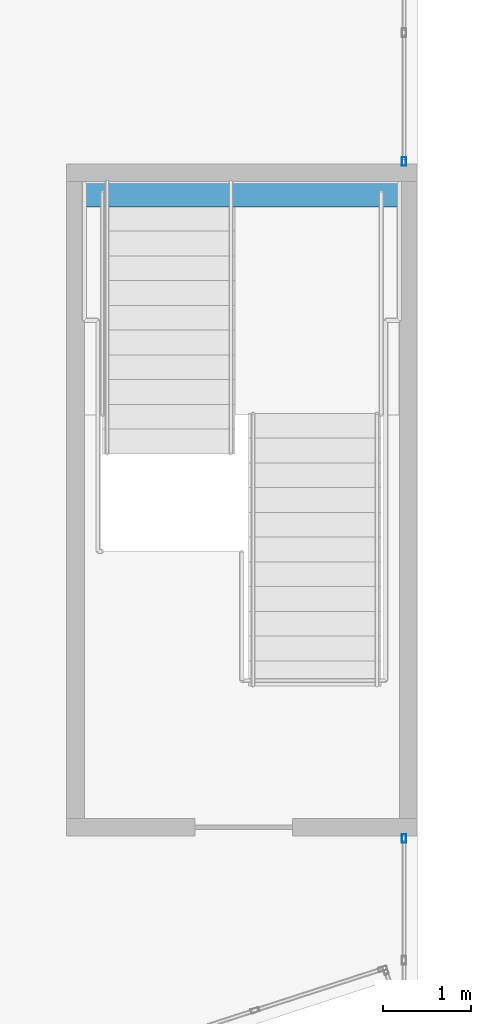
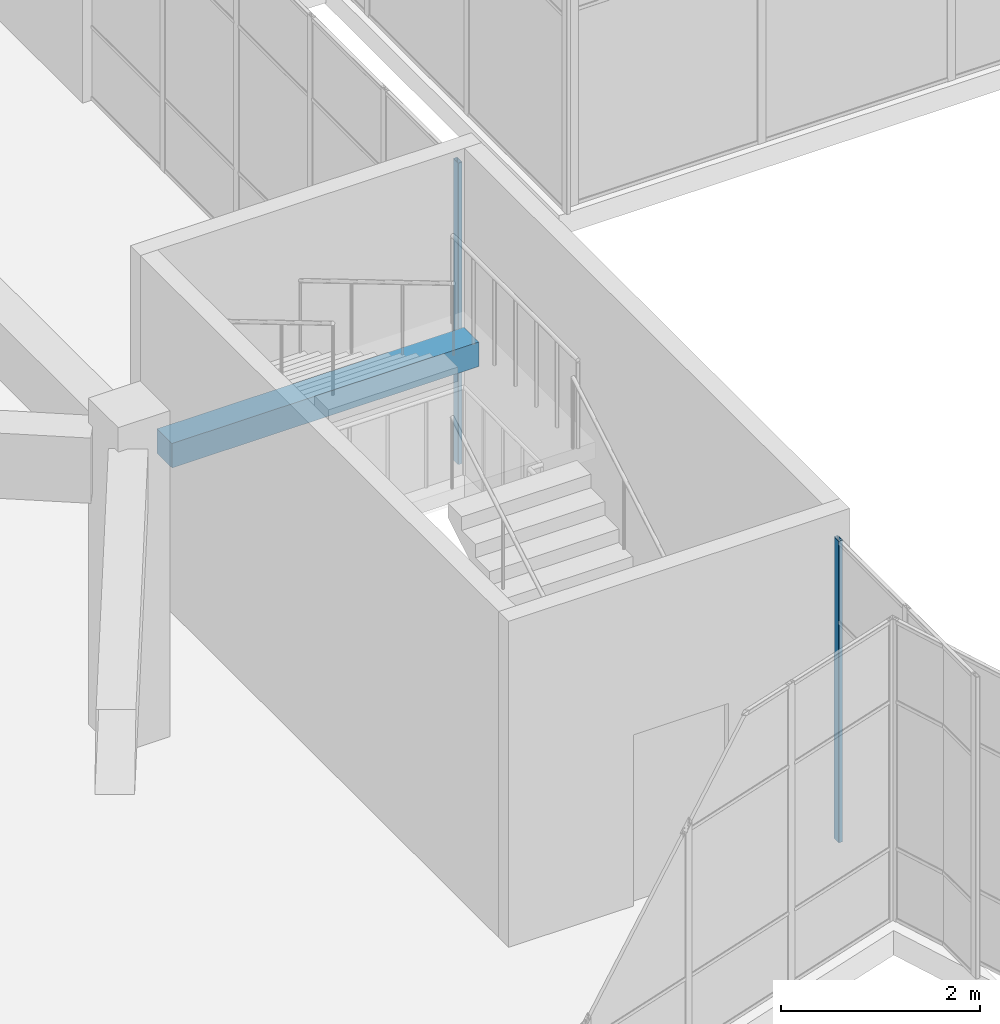
# One storey, part 12 of 66: 2 members, 1 beam, 2 elements without a shape of their own.
"""IFC4 building model written with IfcOpenShell, lengths in metres."""

import ifcopenshell
import ifcopenshell.guid

model = None  # the IFC model being written
_history = None  # IfcOwnerHistory: only IFC2X3 demands one
_inside = {}  # id of a spatial element -> (the spatial element, [elements in it])
_under = {}  # id of a project, library or spatial element -> (it, [spatial elements below it])
_declared = {}  # id of a project -> (the project, [libraries it declares])
_typed = {}  # id of a type object -> (the type object, [elements of that type])
_made_of = {}  # id of a material, layer set ... -> (it, [elements and type objects made of it])


def new_model(schema):
    """Start an empty IFC model of exactly this schema.

    Asked for "IFC4X3", IfcOpenShell would pick the latest addendum, in which some entities
    have other attributes; the version numbers below select the first issue.
    IFC2X3 requires an IfcOwnerHistory on every rooted entity: one is made here for all.
    """
    global model, _history
    if schema == "IFC4X3":
        model = ifcopenshell.file(schema_version=(4, 3, 0, 0))
    else:
        model = ifcopenshell.file(schema=schema)
    _inside.clear()
    _under.clear()
    _declared.clear()
    _typed.clear()
    _made_of.clear()
    _history = None
    if model.schema == "IFC2X3":
        org = make("IfcOrganization", Name="unknown")
        user = make(
            "IfcPersonAndOrganization",
            ThePerson=make("IfcPerson", FamilyName="unknown"),
            TheOrganization=org,
        )
        app = make(
            "IfcApplication",
            ApplicationDeveloper=org,
            Version="unknown",
            ApplicationFullName="unknown",
            ApplicationIdentifier="unknown",
        )
        _history = make(
            "IfcOwnerHistory",
            OwningUser=user,
            OwningApplication=app,
            ChangeAction="ADDED",
            CreationDate=0,
        )
    return model


def make(cls, **values):
    """One entity of the class cls with the attributes given. An attribute that is None is left unset."""
    return model.create_entity(
        cls, **{name: value for name, value in values.items() if value is not None}
    )


def rooted(cls, **values):
    """An entity with a GlobalId (a new one), such as an element, a storey or a relation."""
    return make(cls, GlobalId=ifcopenshell.guid.new(), OwnerHistory=_history, **values)


def si_unit(unit_type, name, prefix=None):
    """IfcSIUnit, for example si_unit("LENGTHUNIT", "METRE", prefix="MILLI")."""
    return make("IfcSIUnit", UnitType=unit_type, Prefix=prefix, Name=name)


def assignment(units):
    """IfcUnitAssignment: the units of a project."""
    return None if units is None else make("IfcUnitAssignment", Units=units)


def point(xyz):
    """IfcCartesianPoint."""
    return None if xyz is None else make("IfcCartesianPoint", Coordinates=xyz)


def direction(xyz):
    """IfcDirection."""
    return None if xyz is None else make("IfcDirection", DirectionRatios=xyz)


def frame(location, z_axis=None, x_axis=None):
    """IfcAxis2Placement3D, a coordinate frame: its origin and axes. An axis left out is left unset."""
    return make(
        "IfcAxis2Placement3D",
        Location=point(location),
        Axis=direction(z_axis),
        RefDirection=direction(x_axis),
    )


def frame_2d(location, x_axis=None):
    """IfcAxis2Placement2D, a coordinate frame in the plane: its origin and x axis."""
    return make(
        "IfcAxis2Placement2D", Location=point(location), RefDirection=direction(x_axis)
    )


def origin():
    """The frame at (0, 0, 0) with its axes left unset."""
    return frame((0.0, 0.0, 0.0))


def origin_2d():
    """The frame at (0, 0) in the plane with its x axis left unset."""
    return frame_2d((0.0, 0.0))


def place(relative_to, where):
    """IfcLocalPlacement: puts the frame where relative to a parent placement (None: the world)."""
    return make(
        "IfcLocalPlacement", PlacementRelTo=relative_to, RelativePlacement=where
    )


def context(
    kind, dimensions, precision=None, world=None, true_north=None, identifier=None
):
    """IfcGeometricRepresentationContext, for example the 3D "Model" context."""
    return make(
        "IfcGeometricRepresentationContext",
        ContextIdentifier=identifier,
        ContextType=kind,
        CoordinateSpaceDimension=dimensions,
        Precision=precision,
        WorldCoordinateSystem=world,
        TrueNorth=true_north,
    )


def subcontext(parent, identifier, kind, view, scale=None):
    """IfcGeometricRepresentationSubContext, for example "Body" below "Model"."""
    return make(
        "IfcGeometricRepresentationSubContext",
        ContextIdentifier=identifier,
        ContextType=kind,
        ParentContext=parent,
        TargetScale=scale,
        TargetView=view,
    )


def project(units=None, contexts=None):
    """IfcProject with its units and contexts."""
    return rooted(
        "IfcProject",
        Name="project",
        RepresentationContexts=contexts,
        UnitsInContext=assignment(units),
    )


def spatial(cls, under=None, at=None, **own):
    """A site, building, storey or space (cls), placed at a placement, below another one or the project."""
    s = rooted(cls, ObjectPlacement=at, **own)
    if under is not None:
        _under.setdefault(under.id(), (under, []))[1].append(s)
    return s


def profile(cls, at=None, kind="AREA", **sizes):
    """A parametric profile (cls). Its sizes go by their IFC names, for example OverallWidth=200.0."""
    return make(cls, ProfileType=kind, Position=at, **sizes)


def rectangle(**sizes):
    """IfcRectangleProfileDef."""
    return profile("IfcRectangleProfileDef", **sizes)


def hollow_rectangle(**sizes):
    """IfcRectangleHollowProfileDef."""
    return profile("IfcRectangleHollowProfileDef", **sizes)


def extrude(swept, where, along, depth):
    """IfcExtrudedAreaSolid: the profile swept, set in the frame where, extruded along a direction by depth."""
    return make(
        "IfcExtrudedAreaSolid",
        SweptArea=swept,
        Position=where,
        ExtrudedDirection=direction(along),
        Depth=depth,
    )


def shape(context_of_items, identifier, shape_type, items):
    """IfcShapeRepresentation: the items that make up one representation, for example the "Body"."""
    return make(
        "IfcShapeRepresentation",
        ContextOfItems=context_of_items,
        RepresentationIdentifier=identifier,
        RepresentationType=shape_type,
        Items=items,
    )


def material(Name=None, Category=None):
    """IfcMaterial."""
    return make("IfcMaterial", Name=Name, Category=Category)


def layer(
    of_material, thickness, ventilated=None, Name=None, Category=None, Priority=None
):
    """IfcMaterialLayer: one layer of a wall or slab, of a material (None: an air gap)."""
    return make(
        "IfcMaterialLayer",
        Material=of_material,
        LayerThickness=thickness,
        IsVentilated=ventilated,
        Name=Name,
        Category=Category,
        Priority=Priority,
    )


def layer_set(layers, Name=None):
    """IfcMaterialLayerSet."""
    return make("IfcMaterialLayerSet", MaterialLayers=layers, LayerSetName=Name)


def material_profile(
    of_material, cross_section, Name=None, Category=None, Priority=None
):
    """IfcMaterialProfile: a cross section and its material."""
    return make(
        "IfcMaterialProfile",
        Name=Name,
        Material=of_material,
        Profile=cross_section,
        Priority=Priority,
        Category=Category,
    )


def profile_set(profiles, Name=None, composite=None):
    """IfcMaterialProfileSet."""
    return make(
        "IfcMaterialProfileSet",
        Name=Name,
        MaterialProfiles=profiles,
        CompositeProfile=composite,
    )


def made_of(thing, what):
    """Note that an element or type object is made of a material, layer set ...; save() writes the relation."""
    if what is not None:
        _made_of.setdefault(what.id(), (what, []))[1].append(thing)
    return thing


def type_object(cls, material=None, **own):
    """A type object (cls), such as IfcWallType, which elements share."""
    return made_of(rooted(cls, **own), material)


def element(
    cls,
    number,
    at=None,
    inside=None,
    cuts=None,
    type_object=None,
    material=None,
    context=None,
    identifier="Body",
    shape_type=None,
    held_by="IfcProductDefinitionShape",
    body=None,
    shapes=None,
    **own,
):
    """One element of the class cls, such as IfcWall. Its Tag is "e" and its number.

    at: its placement. inside: the storey or other place that contains it. cuts: it is an
    opening in that element (IfcRelVoidsElement). A single representation is given by context,
    identifier, shape_type and body (its items); several are given by shapes. held_by: the class
    of the entity that holds the representations. save() writes the other relations.
    """
    e = rooted(cls, Tag="e%d" % number, ObjectPlacement=at, **own)
    if body is not None:
        shapes = [shape(context, identifier, shape_type, body)]
    if shapes is not None:
        e.Representation = make(held_by, Representations=shapes)
    if inside is not None:
        _inside.setdefault(inside.id(), (inside, []))[1].append(e)
    if cuts is not None:
        rooted(
            "IfcRelVoidsElement", RelatingBuildingElement=cuts, RelatedOpeningElement=e
        )
    if type_object is not None:
        _typed.setdefault(type_object.id(), (type_object, []))[1].append(e)
    return made_of(e, material)


def aggregate(whole, parts):
    """IfcRelAggregates: a whole, such as a stair, and the parts it consists of."""
    return rooted("IfcRelAggregates", RelatingObject=whole, RelatedObjects=parts)


def save(model, path):
    """Write the relations noted so far, then the file.

    IfcRelAggregates (storeys below a building ...), IfcRelContainedInSpatialStructure (elements
    in a storey), IfcRelDefinesByType, IfcRelAssociatesMaterial and IfcRelDeclares: one each for
    every whole, place, type object, material and project.
    """
    for whole, parts in _under.values():
        aggregate(whole, parts)
    for where, things in _inside.values():
        rooted(
            "IfcRelContainedInSpatialStructure",
            RelatedElements=things,
            RelatingStructure=where,
        )
    for kind, things in _typed.values():
        rooted("IfcRelDefinesByType", RelatedObjects=things, RelatingType=kind)
    for what, things in _made_of.values():
        rooted("IfcRelAssociatesMaterial", RelatedObjects=things, RelatingMaterial=what)
    for by, libraries in _declared.values():
        rooted("IfcRelDeclares", RelatingContext=by, RelatedDefinitions=libraries)
    model.write(path)


model = new_model("IFC4")

# Units and contexts
model_context = context("Model", 3, precision=1e-05, world=origin(), true_north=direction((0.0, 1.0)))
body_context = subcontext(model_context, "Body", "Model", "MODEL_VIEW")
ifc_project = project(units=[si_unit("LENGTHUNIT", "METRE"), si_unit("AREAUNIT", "SQUARE_METRE"), si_unit("VOLUMEUNIT", "CUBIC_METRE"), si_unit("PLANEANGLEUNIT", "RADIAN"), si_unit("MASSUNIT", "GRAM", prefix="KILO")], contexts=[model_context])

# Site, building, storey
site_placement = place(None, origin())
site = spatial("IfcSite", under=ifc_project, at=site_placement, CompositionType="ELEMENT")
building_placement = place(site_placement, origin())
building = spatial("IfcBuilding", under=site, at=building_placement, Name="Tuart Plaza Theatre", CompositionType="ELEMENT")
storey_placement = place(building_placement, frame((0.0, 0.0, 5.5)))
storey = spatial("IfcBuildingStorey", under=building, at=storey_placement, Name="L01", CompositionType="ELEMENT", Elevation=5.5)

# Beam
ifc_material_1 = material(Name="Concrete N40 (40 MPa)", Category="concrete")
ifc_material_profile_1 = material_profile(ifc_material_1, rectangle(XDim=0.300048828125, YDim=0.300048828125, at=origin_2d()), Name="BEAM 300x300 Concrete N40 (40 MPa)")
ifc_profile_set_1 = profile_set([ifc_material_profile_1], Name="Concrete N40 (40 MPa)")
beam_type = type_object("IfcBeamType", Name="BEAM 300x300 Concrete N40 (40 MPa)", PredefinedType="BEAM", material=ifc_profile_set_1)
beam_placement = place(storey_placement, frame((110.159912109375, 51.659912109375, 1.64990234375), z_axis=(-1.0, 0.0, 0.0), x_axis=(0.0, -1.0, 0.0)))
element("IfcBeam", 1, at=beam_placement, inside=storey, type_object=beam_type, Name="RB59", PredefinedType="BEAM", context=body_context, shape_type="SweptSolid", body=[
    extrude(rectangle(XDim=0.300048828125, YDim=0.300048828125, at=origin_2d()), origin(), (0.0, 0.0, 1.0), 3.559814453125),
])

# Curtain wall, member
ifc_material_2 = material(Name="Aluminium and glass", Category="aluminium")
ifc_layer = layer(ifc_material_2, 0.10009765625)
ifc_layer_set = layer_set([ifc_layer], Name="CURTAIN WALL 1500 module")
curtain_wall_type = type_object("IfcCurtainWallType", Name="CURTAIN WALL 1500 module", PredefinedType="NOTDEFINED", material=ifc_layer_set)
curtain_wall_1_placement = place(storey_placement, origin())
curtain_wall_1 = element("IfcCurtainWall", 2, at=curtain_wall_1_placement, inside=storey, type_object=curtain_wall_type, Name="CW21", PredefinedType="NOTDEFINED")
ifc_material_3 = material(Name="Aluminium 6063-T5", Category="aluminium")
ifc_material_profile_2 = material_profile(ifc_material_3, hollow_rectangle(XDim=0.050048828125, YDim=0.10009765625, WallThickness=0.00390625, InnerFilletRadius=0.00390625, OuterFilletRadius=0.008056640625, at=origin_2d()), Name="RHS 100x50x4")
ifc_profile_set_2 = profile_set([ifc_material_profile_2], Name="Aluminium 6063-T5")
member_type = type_object("IfcMemberType", Name="MULLION RHS 100x50x4", PredefinedType="MULLION", material=ifc_profile_set_2)
member_1_placement = place(storey_placement, frame((110.212890625, 44.375, 0.0), z_axis=(0.0, 0.0, 1.0), x_axis=(-1.0, 0.0, 0.0)))
member_1 = element("IfcMember", 3, at=member_1_placement, type_object=member_type, Name="CW21 mullion 3", PredefinedType="MULLION", context=body_context, shape_type="SweptSolid", body=[
    extrude(hollow_rectangle(XDim=0.050048828125, YDim=0.10009765625, WallThickness=0.00390625, InnerFilletRadius=0.00390625, OuterFilletRadius=0.008056640625, at=origin_2d()), origin(), (0.0, 0.0, 1.0), 3.699951171875),
])
aggregate(curtain_wall_1, [member_1])

curtain_wall_2_placement = place(storey_placement, origin())
curtain_wall_2 = element("IfcCurtainWall", 4, at=curtain_wall_2_placement, inside=storey, type_object=curtain_wall_type, Name="CW22", PredefinedType="NOTDEFINED")
member_2_placement = place(storey_placement, frame((110.212890625, 52.02490234375, 0.0), z_axis=(0.0, 0.0, 1.0), x_axis=(-1.0, 0.0, 0.0)))
member_2 = element("IfcMember", 5, at=member_2_placement, type_object=member_type, Name="CW22 mullion 1", PredefinedType="MULLION", context=body_context, shape_type="SweptSolid", body=[
    extrude(hollow_rectangle(XDim=0.050048828125, YDim=0.10009765625, WallThickness=0.00390625, InnerFilletRadius=0.00390625, OuterFilletRadius=0.008056640625, at=origin_2d()), origin(), (0.0, 0.0, 1.0), 3.699951171875),
])
aggregate(curtain_wall_2, [member_2])

save(model, "model.ifc")
